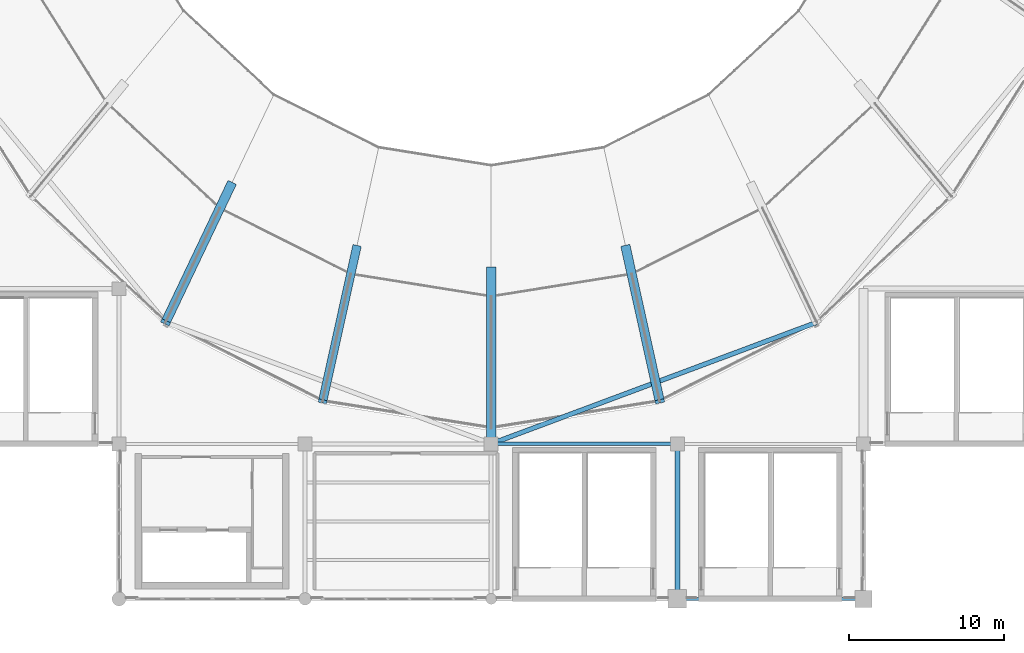
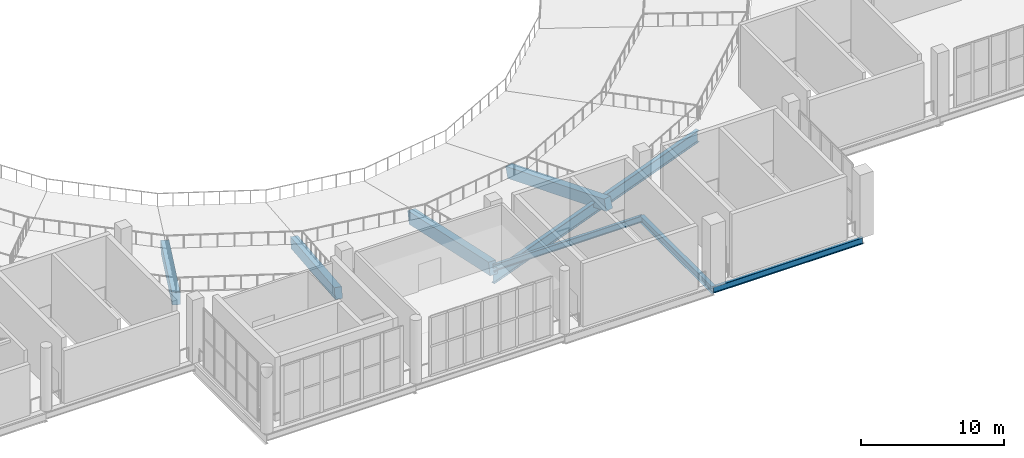
# One storey, part 13 of 74: 8 beams.
"""IFC4 building model written with IfcOpenShell, lengths in metres."""

from ifc_helpers import new_model, si_unit, direction, frame, origin, origin_2d, place, context, subcontext, project, spatial, rectangle, i_section, extrude, material, material_profile, profile_set, type_object, element, save


model = new_model("IFC4")

# Units and contexts
model_context = context("Model", 3, precision=1e-05, world=origin(), true_north=direction((0.0, 1.0)))
body_context = subcontext(model_context, "Body", "Model", "MODEL_VIEW")
ifc_project = project(units=[si_unit("LENGTHUNIT", "METRE"), si_unit("AREAUNIT", "SQUARE_METRE"), si_unit("VOLUMEUNIT", "CUBIC_METRE"), si_unit("PLANEANGLEUNIT", "RADIAN"), si_unit("MASSUNIT", "GRAM", prefix="KILO")], contexts=[model_context])

# Site, building, storey
site_placement = place(None, origin())
site = spatial("IfcSite", under=ifc_project, at=site_placement, CompositionType="ELEMENT")
building_placement = place(site_placement, origin())
building = spatial("IfcBuilding", under=site, at=building_placement, Name="Brinegate Civic Arena", CompositionType="ELEMENT")
storey_placement = place(building_placement, frame((0.0, 0.0, 19.199951171875)))
storey = spatial("IfcBuildingStorey", under=building, at=storey_placement, Name="L04", CompositionType="ELEMENT", Elevation=19.199951171875)

# Beams
ifc_material_1 = material(Name="Steel S355", Category="steel")
ifc_material_profile_1 = material_profile(ifc_material_1, i_section(OverallWidth=0.323974609375, OverallDepth=0.611083984375, WebThickness=0.012939453125, FlangeThickness=0.01904296875, FilletRadius=0.01611328125, at=origin_2d()), Name="W610X155")
ifc_profile_set_1 = profile_set([ifc_material_profile_1], Name="Steel S355")
beam_type_1 = type_object("IfcBeamType", Name="GIRDER-W610X155", PredefinedType="BEAM", material=ifc_profile_set_1)
beam_1_placement = place(storey_placement, frame((120.0, 0.0, -0.64501953125), z_axis=(0.0, 1.0, 0.0), x_axis=(-1.0, 0.0, 0.0)))
element("IfcBeam", 1, at=beam_1_placement, inside=storey, type_object=beam_type_1, Name="Floor Girder BM-L04-GY-10-00", PredefinedType="BEAM", context=body_context, shape_type="SweptSolid", body=[
    extrude(i_section(OverallWidth=0.323974609375, OverallDepth=0.611083984375, WebThickness=0.012939453125, FlangeThickness=0.01904296875, FilletRadius=0.01611328125, at=origin_2d()), origin(), (0.0, 0.0, 1.0), 10.0),
])
ifc_material_2 = material(Name="Concrete C50/60", Category="concrete")
ifc_material_profile_2 = material_profile(ifc_material_2, rectangle(XDim=0.550048828125, YDim=0.89990234375, at=origin_2d()), Name="RKR550X900")
ifc_profile_set_2 = profile_set([ifc_material_profile_2], Name="Concrete C50/60")
beam_type_2 = type_object("IfcBeamType", Name="RAKER-RKR550X900", PredefinedType="USERDEFINED", material=ifc_profile_set_2)
beam_2_placement = place(storey_placement, frame((99.330078125, 22.68701171875, -3.099853515625), z_axis=(-0.209947255691, -0.949352043572, 0.233779484117), x_axis=(0.976408675069, -0.215930774207, 0.0)))
element("IfcBeam", 2, at=beam_2_placement, inside=storey, type_object=beam_type_2, Name="Upper Bowl Raker Girder RKR-UPR-18", ObjectType="RAKER GIRDER", PredefinedType="USERDEFINED", context=body_context, shape_type="SweptSolid", body=[
    extrude(rectangle(XDim=0.550048828125, YDim=0.89990234375, at=origin_2d()), origin(), (0.0, 0.0, 1.0), 10.479736328125),
])
ifc_material_profile_3 = material_profile(ifc_material_2, rectangle(XDim=0.60009765625, YDim=1.050048828125, at=origin_2d()), Name="RKR600X1050")
ifc_profile_set_3 = profile_set([ifc_material_profile_3], Name="Concrete C50/60")
beam_type_3 = type_object("IfcBeamType", Name="RAKER-RKR600X1050", PredefinedType="USERDEFINED", material=ifc_profile_set_3)
beam_3_placement = place(storey_placement, frame((108.0, 21.300048828125, -3.099853515625), z_axis=(0.0, -0.977294363686, 0.211886117308), x_axis=(1.0, 0.0, 0.0)))
element("IfcBeam", 3, at=beam_3_placement, inside=storey, type_object=beam_type_3, Name="Upper Bowl Raker Girder RKR-UPR-19", ObjectType="RAKER GIRDER", PredefinedType="USERDEFINED", context=body_context, shape_type="SweptSolid", body=[
    extrude(rectangle(XDim=0.60009765625, YDim=1.050048828125, at=origin_2d()), origin(), (0.0, 0.0, 1.0), 11.5625),
])
ifc_material_profile_4 = material_profile(ifc_material_2, rectangle(XDim=0.60009765625, YDim=0.949951171875, at=origin_2d()), Name="RKR600X950")
ifc_profile_set_4 = profile_set([ifc_material_profile_4], Name="Concrete C50/60")
beam_type_4 = type_object("IfcBeamType", Name="RAKER-RKR600X950", PredefinedType="USERDEFINED", material=ifc_profile_set_4)
beam_4_placement = place(storey_placement, frame((91.25, 26.7529296875, -3.099853515625), z_axis=(-0.417490568873, -0.876231354799, 0.240666237284), x_axis=(0.902765497567, -0.430133068252, 0.0)))
element("IfcBeam", 4, at=beam_4_placement, inside=storey, type_object=beam_type_4, Name="Upper Bowl Raker Girder RKR-UPR-17", ObjectType="RAKER GIRDER", PredefinedType="USERDEFINED", context=body_context, shape_type="SweptSolid", body=[
    extrude(rectangle(XDim=0.60009765625, YDim=0.949951171875, at=origin_2d()), origin(), (0.0, 0.0, 1.0), 10.179931640625),
])
beam_5_placement = place(storey_placement, frame((116.669921875, 22.68701171875, -3.099853515625), z_axis=(0.209947255691, -0.949352043572, 0.233779484117), x_axis=(0.976408675069, 0.215930774207, 0.0)))
element("IfcBeam", 5, at=beam_5_placement, inside=storey, type_object=beam_type_4, Name="Upper Bowl Raker Girder RKR-UPR-20", ObjectType="RAKER GIRDER", PredefinedType="USERDEFINED", context=body_context, shape_type="SweptSolid", body=[
    extrude(rectangle(XDim=0.60009765625, YDim=0.949951171875, at=origin_2d()), origin(), (0.0, 0.0, 1.0), 10.479736328125),
])
ifc_material_profile_5 = material_profile(ifc_material_1, i_section(OverallWidth=0.300048828125, OverallDepth=1.0, WebThickness=0.01904296875, FlangeThickness=0.031982421875, FilletRadius=0.02392578125, at=origin_2d()), Name="W1000X321")
ifc_profile_set_5 = profile_set([ifc_material_profile_5], Name="Steel S355")
beam_type_5 = type_object("IfcBeamType", Name="RING-W1000X321", PredefinedType="BEAM", material=ifc_profile_set_5)
beam_6_placement = place(storey_placement, frame((108.0, 10.0, -1.449951171875), z_axis=(0.936943694813, 0.34948034673, 0.0), x_axis=(-0.34948034673, 0.936943694813, 0.0)))
element("IfcBeam", 6, at=beam_6_placement, inside=storey, type_object=beam_type_5, Name="Bowl Ring Girder RG-BOWL-10", PredefinedType="BEAM", context=body_context, shape_type="SweptSolid", body=[
    extrude(i_section(OverallWidth=0.300048828125, OverallDepth=1.0, WebThickness=0.01904296875, FlangeThickness=0.031982421875, FilletRadius=0.02392578125, at=origin_2d()), origin(), (0.0, 0.0, 1.0), 22.413330078125),
])
ifc_material_profile_6 = material_profile(ifc_material_1, i_section(OverallWidth=0.2119140625, OverallDepth=0.5439453125, WebThickness=0.012939453125, FlangeThickness=0.02099609375, FilletRadius=0.01611328125, at=origin_2d()), Name="W530X123")
ifc_profile_set_6 = profile_set([ifc_material_profile_6], Name="Steel S355")
beam_type_6 = type_object("IfcBeamType", Name="SPANDREL-W530X123", PredefinedType="SPANDREL", material=ifc_profile_set_6)
for number, where, z_axis, x_axis, name in (
    (7, (120.0, 0.0, -0.612060546875), (1.0, 0.0, 0.0), (0.0, 1.0, 0.0), "Floor Girder BM-L04-GX-10-00"),
    (8, (108.0, 10.0, -0.612060546875), (1.0, 0.0, 0.0), (0.0, 1.0, 0.0), "Floor Girder BM-L04-GX-09-01"),
):
    element("IfcBeam", number, at=place(storey_placement, frame(where, z_axis=z_axis, x_axis=x_axis)), inside=storey, type_object=beam_type_6, Name=name, PredefinedType="SPANDREL", context=body_context, shape_type="SweptSolid", body=[
        extrude(i_section(OverallWidth=0.2119140625, OverallDepth=0.5439453125, WebThickness=0.012939453125, FlangeThickness=0.02099609375, FilletRadius=0.01611328125, at=origin_2d()), origin(), (0.0, 0.0, 1.0), 12.0),
    ])

save(model, "model.ifc")
